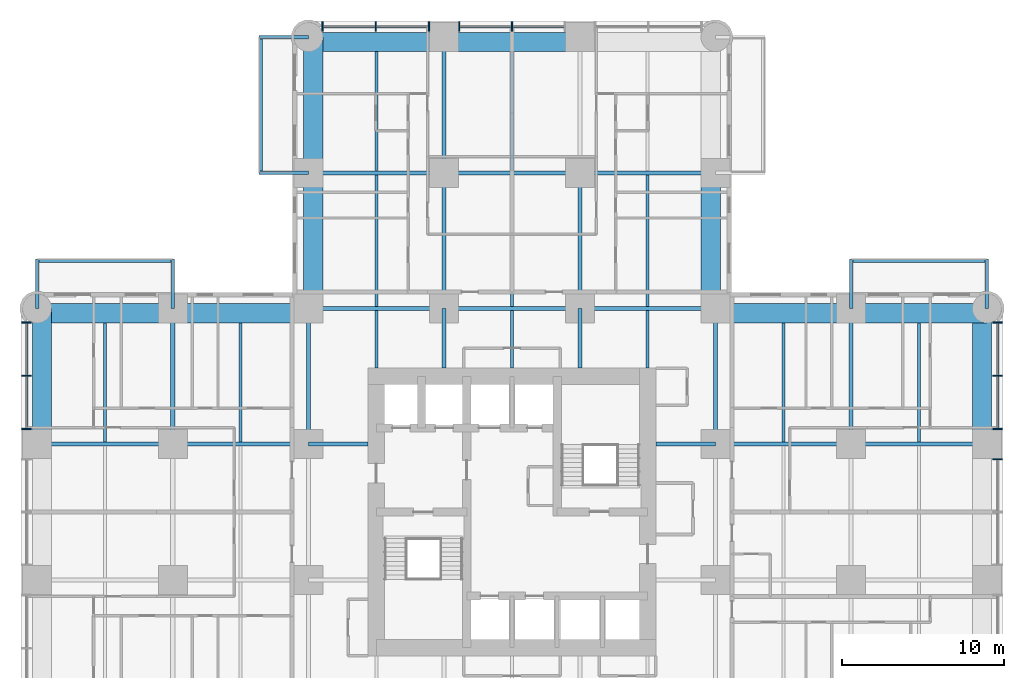
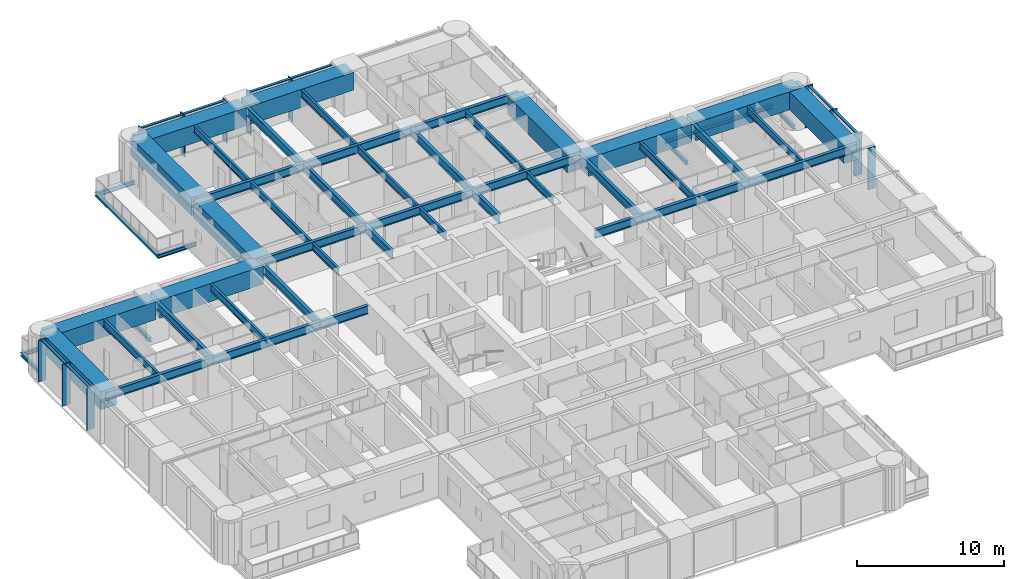
# One storey, part 4 of 17: 53 beams, 20 members, 3 elements without a shape of their own.
"""IFC4 building model written with IfcOpenShell, lengths in metres."""

from ifc_helpers import new_model, si_unit, direction, frame, origin, origin_2d, place, context, subcontext, project, spatial, rectangle, i_section, extrude, material, material_profile, profile_set, type_object, element, aggregate, save


model = new_model("IFC4")

# Units and contexts
model_context = context("Model", 3, precision=1e-05, world=origin(), true_north=direction((0.0, 1.0)))
body_context = subcontext(model_context, "Body", "Model", "MODEL_VIEW")
ifc_project = project(units=[si_unit("LENGTHUNIT", "METRE"), si_unit("AREAUNIT", "SQUARE_METRE"), si_unit("VOLUMEUNIT", "CUBIC_METRE"), si_unit("PLANEANGLEUNIT", "RADIAN"), si_unit("MASSUNIT", "GRAM", prefix="KILO")], contexts=[model_context])

# Site, building, storey
site_placement = place(None, origin())
site = spatial("IfcSite", under=ifc_project, at=site_placement, CompositionType="ELEMENT")
building_placement = place(site_placement, origin())
building = spatial("IfcBuilding", under=site, at=building_placement, Name="Torre Alcanfor", CompositionType="ELEMENT")
storey_placement = place(building_placement, frame((0.0, 0.0, 52.5)))
storey = spatial("IfcBuildingStorey", under=building, at=storey_placement, Name="L12", CompositionType="ELEMENT", Elevation=52.5)

# Beams
ifc_material_1 = material(Name="Steel ASTM A992 Grade 50", Category="steel")
ifc_material_profile_1 = material_profile(ifc_material_1, i_section(OverallWidth=0.205322265625, OverallDepth=0.309814453125, WebThickness=0.00927734375, FlangeThickness=0.016357421875, at=origin_2d()), Name="W12x50")
ifc_profile_set_1 = profile_set([ifc_material_profile_1], Name="Steel ASTM A992 Grade 50")
beam_type_1 = type_object("IfcBeamType", Name="Balcony cantilever beam W12x50", PredefinedType="BEAM", material=ifc_profile_set_1)
for number, where, z_axis, x_axis, name in (
    (1, (16.800048828125, 50.39990234375, -0.35498046875), (-1.0, 0.0, 0.0), (0.0, -1.0, 0.0), "Balcony cantilever beam L12-N1 1"),
    (2, (16.800048828125, 58.800048828125, -0.35498046875), (-1.0, 0.0, 0.0), (0.0, -1.0, 0.0), "Balcony cantilever beam L12-N1 2"),
    (3, (50.39990234375, 42.0, -0.35498046875), (0.0, 1.0, 0.0), (-1.0, 0.0, 0.0), "Balcony cantilever beam L12-E1 1"),
    (4, (58.800048828125, 42.0, -0.35498046875), (0.0, 1.0, 0.0), (-1.0, 0.0, 0.0), "Balcony cantilever beam L12-E1 2"),
    (5, (8.39990234375, 42.0, -0.35498046875), (0.0, 1.0, 0.0), (-1.0, 0.0, 0.0), "Balcony cantilever beam L12-W2 1"),
    (6, (0.0, 42.0, -0.35498046875), (0.0, 1.0, 0.0), (-1.0, 0.0, 0.0), "Balcony cantilever beam L12-W2 2"),
):
    element("IfcBeam", number, at=place(storey_placement, frame(where, z_axis=z_axis, x_axis=x_axis)), inside=storey, type_object=beam_type_1, Name=name, PredefinedType="BEAM", context=body_context, shape_type="SweptSolid", body=[
        extrude(i_section(OverallWidth=0.205322265625, OverallDepth=0.309814453125, WebThickness=0.00927734375, FlangeThickness=0.016357421875, at=origin_2d()), origin(), (0.0, 0.0, 1.0), 3.050048828125),
    ])
ifc_material_2 = material(Name="Steel ASTM A992 Grade 50", Category="steel")
ifc_material_profile_2 = material_profile(ifc_material_2, i_section(OverallWidth=0.203369140625, OverallDepth=0.30224609375, WebThickness=0.007568359375, FlangeThickness=0.01318359375, at=origin_2d()), Name="W12x40")
ifc_profile_set_2 = profile_set([ifc_material_profile_2], Name="Steel ASTM A992 Grade 50")
beam_type_2 = type_object("IfcBeamType", Name="Balcony edge trimmer W12x40", PredefinedType="BEAM", material=ifc_profile_set_2)
for number, where, z_axis, x_axis, name in (
    (7, (13.851806640625, 50.39990234375, -0.35107421875), (0.0, 1.0, 0.0), (-1.0, 0.0, 0.0), "Balcony edge trimmer L12-N1"),
    (8, (50.39990234375, 44.9482421875, -0.35107421875), (1.0, 0.0, 0.0), (0.0, 1.0, 0.0), "Balcony edge trimmer L12-E1"),
):
    element("IfcBeam", number, at=place(storey_placement, frame(where, z_axis=z_axis, x_axis=x_axis)), inside=storey, type_object=beam_type_2, Name=name, PredefinedType="BEAM", context=body_context, shape_type="SweptSolid", body=[
        extrude(i_section(OverallWidth=0.203369140625, OverallDepth=0.30224609375, WebThickness=0.007568359375, FlangeThickness=0.01318359375, at=origin_2d()), origin(), (0.0, 0.0, 1.0), 8.400146484375),
    ])
beam_1_placement = place(storey_placement, frame((8.39990234375, 44.9482421875, -0.35107421875), z_axis=(-1.0, 0.0, 0.0), x_axis=(0.0, -1.0, 0.0)))
element("IfcBeam", 9, at=beam_1_placement, inside=storey, type_object=beam_type_2, Name="Balcony edge trimmer L12-W2", PredefinedType="BEAM", context=body_context, shape_type="SweptSolid", body=[
    extrude(i_section(OverallWidth=0.203369140625, OverallDepth=0.30224609375, WebThickness=0.007568359375, FlangeThickness=0.01318359375, at=origin_2d()), origin(), (0.0, 0.0, 1.0), 8.39990234375),
])

# Curtain wall, members
ifc_material_3 = material(Name="Aluminium and glass", Category="aluminium")
curtain_wall_type = type_object("IfcCurtainWallType", Name="CW-A unitised apartment glazing with vertical FIN", PredefinedType="NOTDEFINED", material=ifc_material_3)
curtain_wall_1_placement = place(storey_placement, origin())
curtain_wall_1 = element("IfcCurtainWall", 10, at=curtain_wall_1_placement, inside=storey, type_object=curtain_wall_type, Name="Curtain wall CW-A L12 2", PredefinedType="NOTDEFINED")
ifc_material_4 = material(Name="Bronze anodised aluminium", Category="aluminium")
ifc_material_profile_3 = material_profile(ifc_material_4, rectangle(XDim=0.60009765625, YDim=0.06494140625, at=origin_2d()), Name="CW-A mullion 65x600")
ifc_profile_set_3 = profile_set([ifc_material_profile_3], Name="Bronze anodised aluminium")
member_type_1 = type_object("IfcMemberType", Name="CW-A mullion with vertical FIN 65x600", PredefinedType="MULLION", material=ifc_profile_set_3)
member_1_placement = place(storey_placement, frame((-0.64990234375, 41.133056640625, 0.0), z_axis=(0.0, 0.0, 1.0), x_axis=(1.0, 0.0, 0.0)))
member_1 = element("IfcMember", 11, at=member_1_placement, type_object=member_type_1, Name="CW-A mullion 1.1", PredefinedType="MULLION", context=body_context, shape_type="SweptSolid", body=[
    extrude(rectangle(XDim=0.60009765625, YDim=0.06494140625, at=origin_2d()), origin(), (0.0, 0.0, 1.0), 3.449951171875),
])
member_2_placement = place(storey_placement, frame((-0.64990234375, 37.835205078125, 0.0), z_axis=(0.0, 0.0, 1.0), x_axis=(1.0, 0.0, 0.0)))
member_2 = element("IfcMember", 12, at=member_2_placement, type_object=member_type_1, Name="CW-A mullion 1.2", PredefinedType="MULLION", context=body_context, shape_type="SweptSolid", body=[
    extrude(rectangle(XDim=0.60009765625, YDim=0.06494140625, at=origin_2d()), origin(), (0.0, 0.0, 1.0), 3.449951171875),
])
member_3_placement = place(storey_placement, frame((-0.64990234375, 34.53759765625, 0.0), z_axis=(0.0, 0.0, 1.0), x_axis=(1.0, 0.0, 0.0)))
member_3 = element("IfcMember", 13, at=member_3_placement, type_object=member_type_1, Name="CW-A mullion 1.3", PredefinedType="MULLION", context=body_context, shape_type="SweptSolid", body=[
    extrude(rectangle(XDim=0.60009765625, YDim=0.06494140625, at=origin_2d()), origin(), (0.0, 0.0, 1.0), 3.449951171875),
])

curtain_wall_2_placement = place(storey_placement, origin())
curtain_wall_2 = element("IfcCurtainWall", 14, at=curtain_wall_2_placement, inside=storey, type_object=curtain_wall_type, Name="Curtain wall CW-A L12 8", PredefinedType="NOTDEFINED")
member_4_placement = place(storey_placement, frame((59.449951171875, 32.66259765625, 0.0), z_axis=(0.0, 0.0, 1.0), x_axis=(-1.0, 0.0, 0.0)))
member_4 = element("IfcMember", 15, at=member_4_placement, type_object=member_type_1, Name="CW-A mullion 2.3", PredefinedType="MULLION", context=body_context, shape_type="SweptSolid", body=[
    extrude(rectangle(XDim=0.60009765625, YDim=0.06494140625, at=origin_2d()), origin(), (0.0, 0.0, 1.0), 3.449951171875),
])
member_5_placement = place(storey_placement, frame((59.449951171875, 34.53759765625, 0.0), z_axis=(0.0, 0.0, 1.0), x_axis=(-1.0, 0.0, 0.0)))
member_5 = element("IfcMember", 16, at=member_5_placement, type_object=member_type_1, Name="CW-A mullion 3.1", PredefinedType="MULLION", context=body_context, shape_type="SweptSolid", body=[
    extrude(rectangle(XDim=0.60009765625, YDim=0.06494140625, at=origin_2d()), origin(), (0.0, 0.0, 1.0), 3.449951171875),
])
member_6_placement = place(storey_placement, frame((59.449951171875, 37.835205078125, 0.0), z_axis=(0.0, 0.0, 1.0), x_axis=(-1.0, 0.0, 0.0)))
member_6 = element("IfcMember", 17, at=member_6_placement, type_object=member_type_1, Name="CW-A mullion 3.2", PredefinedType="MULLION", context=body_context, shape_type="SweptSolid", body=[
    extrude(rectangle(XDim=0.60009765625, YDim=0.06494140625, at=origin_2d()), origin(), (0.0, 0.0, 1.0), 3.449951171875),
])
member_7_placement = place(storey_placement, frame((59.449951171875, 41.133056640625, 0.0), z_axis=(0.0, 0.0, 1.0), x_axis=(-1.0, 0.0, 0.0)))
member_7 = element("IfcMember", 18, at=member_7_placement, type_object=member_type_1, Name="CW-A mullion 3.3", PredefinedType="MULLION", context=body_context, shape_type="SweptSolid", body=[
    extrude(rectangle(XDim=0.60009765625, YDim=0.06494140625, at=origin_2d()), origin(), (0.0, 0.0, 1.0), 3.449951171875),
])

curtain_wall_3_placement = place(storey_placement, origin())
curtain_wall_3 = element("IfcCurtainWall", 19, at=curtain_wall_3_placement, inside=storey, type_object=curtain_wall_type, Name="Curtain wall CW-A L12 11", PredefinedType="NOTDEFINED")
member_8_placement = place(storey_placement, frame((29.39990234375, 59.449951171875, 0.0), z_axis=(0.0, 0.0, 1.0), x_axis=(0.0, -1.0, 0.0)))
member_8 = element("IfcMember", 20, at=member_8_placement, type_object=member_type_1, Name="CW-A mullion 2.2", PredefinedType="MULLION", context=body_context, shape_type="SweptSolid", body=[
    extrude(rectangle(XDim=0.60009765625, YDim=0.06494140625, at=origin_2d()), origin(), (0.0, 0.0, 1.0), 3.449951171875),
])
member_9_placement = place(storey_placement, frame((26.137451171875, 59.449951171875, 0.0), z_axis=(0.0, 0.0, 1.0), x_axis=(0.0, -1.0, 0.0)))
member_9 = element("IfcMember", 21, at=member_9_placement, type_object=member_type_1, Name="CW-A mullion 2.3", PredefinedType="MULLION", context=body_context, shape_type="SweptSolid", body=[
    extrude(rectangle(XDim=0.60009765625, YDim=0.06494140625, at=origin_2d()), origin(), (0.0, 0.0, 1.0), 3.449951171875),
])
member_10_placement = place(storey_placement, frame((24.262451171875, 59.449951171875, 0.0), z_axis=(0.0, 0.0, 1.0), x_axis=(0.0, -1.0, 0.0)))
member_10 = element("IfcMember", 22, at=member_10_placement, type_object=member_type_1, Name="CW-A mullion 3.1", PredefinedType="MULLION", context=body_context, shape_type="SweptSolid", body=[
    extrude(rectangle(XDim=0.60009765625, YDim=0.06494140625, at=origin_2d()), origin(), (0.0, 0.0, 1.0), 3.449951171875),
])
member_11_placement = place(storey_placement, frame((20.96484375, 59.449951171875, 0.0), z_axis=(0.0, 0.0, 1.0), x_axis=(0.0, -1.0, 0.0)))
member_11 = element("IfcMember", 23, at=member_11_placement, type_object=member_type_1, Name="CW-A mullion 3.2", PredefinedType="MULLION", context=body_context, shape_type="SweptSolid", body=[
    extrude(rectangle(XDim=0.60009765625, YDim=0.06494140625, at=origin_2d()), origin(), (0.0, 0.0, 1.0), 3.449951171875),
])
member_12_placement = place(storey_placement, frame((17.6669921875, 59.449951171875, 0.0), z_axis=(0.0, 0.0, 1.0), x_axis=(0.0, -1.0, 0.0)))
member_12 = element("IfcMember", 24, at=member_12_placement, type_object=member_type_1, Name="CW-A mullion 3.3", PredefinedType="MULLION", context=body_context, shape_type="SweptSolid", body=[
    extrude(rectangle(XDim=0.60009765625, YDim=0.06494140625, at=origin_2d()), origin(), (0.0, 0.0, 1.0), 3.449951171875),
])

# Member
ifc_material_5 = material(Name="Extruded aluminium", Category="aluminium")
ifc_material_profile_4 = material_profile(ifc_material_5, rectangle(XDim=0.199951171875, YDim=0.06494140625, at=origin_2d()), Name="CW-A transom 200x65")
ifc_profile_set_4 = profile_set([ifc_material_profile_4], Name="Extruded aluminium")
member_type_2 = type_object("IfcMemberType", Name="CW-A transom 65x200", PredefinedType="USERDEFINED", material=ifc_profile_set_4)
member_13_placement = place(storey_placement, frame((-0.64990234375, 41.1005859375, 3.41748046875), z_axis=(0.0, -1.0, 0.0), x_axis=(1.0, 0.0, 0.0)))
member_13 = element("IfcMember", 25, at=member_13_placement, type_object=member_type_2, Name="CW-A transom 1.1.2", ObjectType="TRANSOM", PredefinedType="USERDEFINED", context=body_context, shape_type="SweptSolid", body=[
    extrude(rectangle(XDim=0.199951171875, YDim=0.06494140625, at=origin_2d()), origin(), (0.0, 0.0, 1.0), 3.23291015625),
])

member_14_placement = place(storey_placement, frame((-0.64990234375, 37.802734375, 3.41748046875), z_axis=(0.0, -1.0, 0.0), x_axis=(1.0, 0.0, 0.0)))
member_14 = element("IfcMember", 26, at=member_14_placement, type_object=member_type_2, Name="CW-A transom 1.2.2", ObjectType="TRANSOM", PredefinedType="USERDEFINED", context=body_context, shape_type="SweptSolid", body=[
    extrude(rectangle(XDim=0.199951171875, YDim=0.06494140625, at=origin_2d()), origin(), (0.0, 0.0, 1.0), 3.232666015625),
])

aggregate(curtain_wall_1, [member_1, member_2, member_3, member_13, member_14])

member_15_placement = place(storey_placement, frame((59.449951171875, 34.570068359375, 3.41748046875), z_axis=(0.0, 1.0, 0.0), x_axis=(-1.0, 0.0, 0.0)))
member_15 = element("IfcMember", 27, at=member_15_placement, type_object=member_type_2, Name="CW-A transom 3.1.2", ObjectType="TRANSOM", PredefinedType="USERDEFINED", context=body_context, shape_type="SweptSolid", body=[
    extrude(rectangle(XDim=0.199951171875, YDim=0.06494140625, at=origin_2d()), origin(), (0.0, 0.0, 1.0), 3.232666015625),
])

member_16_placement = place(storey_placement, frame((59.449951171875, 37.86767578125, 3.41748046875), z_axis=(0.0, 1.0, 0.0), x_axis=(-1.0, 0.0, 0.0)))
member_16 = element("IfcMember", 28, at=member_16_placement, type_object=member_type_2, Name="CW-A transom 3.2.2", ObjectType="TRANSOM", PredefinedType="USERDEFINED", context=body_context, shape_type="SweptSolid", body=[
    extrude(rectangle(XDim=0.199951171875, YDim=0.06494140625, at=origin_2d()), origin(), (0.0, 0.0, 1.0), 3.23291015625),
])

aggregate(curtain_wall_2, [member_4, member_5, member_6, member_7, member_15, member_16])

member_17_placement = place(storey_placement, frame((32.6298828125, 59.449951171875, 3.41748046875), z_axis=(-1.0, 0.0, 0.0), x_axis=(0.0, -1.0, 0.0)))
member_17 = element("IfcMember", 29, at=member_17_placement, type_object=member_type_2, Name="CW-A transom 2.1.2", ObjectType="TRANSOM", PredefinedType="USERDEFINED", context=body_context, shape_type="SweptSolid", body=[
    extrude(rectangle(XDim=0.199951171875, YDim=0.06494140625, at=origin_2d()), origin(), (0.0, 0.0, 1.0), 3.197265625),
])

member_18_placement = place(storey_placement, frame((29.367431640625, 59.449951171875, 3.41748046875), z_axis=(-1.0, 0.0, 0.0), x_axis=(0.0, -1.0, 0.0)))
member_18 = element("IfcMember", 30, at=member_18_placement, type_object=member_type_2, Name="CW-A transom 2.2.2", ObjectType="TRANSOM", PredefinedType="USERDEFINED", context=body_context, shape_type="SweptSolid", body=[
    extrude(rectangle(XDim=0.199951171875, YDim=0.06494140625, at=origin_2d()), origin(), (0.0, 0.0, 1.0), 3.197509765625),
])

member_19_placement = place(storey_placement, frame((24.22998046875, 59.449951171875, 3.41748046875), z_axis=(-1.0, 0.0, 0.0), x_axis=(0.0, -1.0, 0.0)))
member_19 = element("IfcMember", 31, at=member_19_placement, type_object=member_type_2, Name="CW-A transom 3.1.2", ObjectType="TRANSOM", PredefinedType="USERDEFINED", context=body_context, shape_type="SweptSolid", body=[
    extrude(rectangle(XDim=0.199951171875, YDim=0.06494140625, at=origin_2d()), origin(), (0.0, 0.0, 1.0), 3.232666015625),
])

member_20_placement = place(storey_placement, frame((20.93212890625, 59.449951171875, 3.41748046875), z_axis=(-1.0, 0.0, 0.0), x_axis=(0.0, -1.0, 0.0)))
member_20 = element("IfcMember", 32, at=member_20_placement, type_object=member_type_2, Name="CW-A transom 3.2.2", ObjectType="TRANSOM", PredefinedType="USERDEFINED", context=body_context, shape_type="SweptSolid", body=[
    extrude(rectangle(XDim=0.199951171875, YDim=0.06494140625, at=origin_2d()), origin(), (0.0, 0.0, 1.0), 3.232666015625),
])

aggregate(curtain_wall_3, [member_8, member_9, member_17, member_18, member_10, member_11, member_12, member_19, member_20])

# Beams
ifc_material_6 = material(Name="Steel ASTM A992 Grade 50", Category="steel")
ifc_material_profile_5 = material_profile(ifc_material_6, i_section(OverallWidth=0.25390625, OverallDepth=0.683349609375, WebThickness=0.012451171875, FlangeThickness=0.01904296875, at=origin_2d()), Name="W27x94")
ifc_profile_set_5 = profile_set([ifc_material_profile_5], Name="Steel ASTM A992 Grade 50")
beam_type_3 = type_object("IfcBeamType", Name="Girder W27x94", PredefinedType="BEAM", material=ifc_profile_set_5)
beam_2_placement = place(storey_placement, frame((0.0, 33.60009765625, 3.1083984375), z_axis=(1.0, 0.0, 0.0), x_axis=(0.0, 1.0, 0.0)))
element("IfcBeam", 33, at=beam_2_placement, inside=storey, type_object=beam_type_3, Name="Beam 1G-2G under L13", PredefinedType="BEAM", context=body_context, shape_type="SweptSolid", body=[
    extrude(i_section(OverallWidth=0.25390625, OverallDepth=0.683349609375, WebThickness=0.012451171875, FlangeThickness=0.01904296875, at=origin_2d()), origin(), (0.0, 0.0, 1.0), 8.39990234375),
])
beam_3_placement = place(storey_placement, frame((8.39990234375, 33.60009765625, 3.1083984375), z_axis=(1.0, 0.0, 0.0), x_axis=(0.0, 1.0, 0.0)))
element("IfcBeam", 34, at=beam_3_placement, inside=storey, type_object=beam_type_3, Name="Beam 2G-3G under L13", PredefinedType="BEAM", context=body_context, shape_type="SweptSolid", body=[
    extrude(i_section(OverallWidth=0.25390625, OverallDepth=0.683349609375, WebThickness=0.012451171875, FlangeThickness=0.01904296875, at=origin_2d()), origin(), (0.0, 0.0, 1.0), 8.400146484375),
])
beam_4_placement = place(storey_placement, frame((42.0, 33.60009765625, 3.1083984375), z_axis=(1.0, 0.0, 0.0), x_axis=(0.0, 1.0, 0.0)))
element("IfcBeam", 35, at=beam_4_placement, inside=storey, type_object=beam_type_3, Name="Beam 6G-7G under L13", PredefinedType="BEAM", context=body_context, shape_type="SweptSolid", body=[
    extrude(i_section(OverallWidth=0.25390625, OverallDepth=0.683349609375, WebThickness=0.012451171875, FlangeThickness=0.01904296875, at=origin_2d()), origin(), (0.0, 0.0, 1.0), 8.39990234375),
])
beam_5_placement = place(storey_placement, frame((50.39990234375, 33.60009765625, 3.1083984375), z_axis=(1.0, 0.0, 0.0), x_axis=(0.0, 1.0, 0.0)))
element("IfcBeam", 36, at=beam_5_placement, inside=storey, type_object=beam_type_3, Name="Beam 7G-8G under L13", PredefinedType="BEAM", context=body_context, shape_type="SweptSolid", body=[
    extrude(i_section(OverallWidth=0.25390625, OverallDepth=0.683349609375, WebThickness=0.012451171875, FlangeThickness=0.01904296875, at=origin_2d()), origin(), (0.0, 0.0, 1.0), 8.400146484375),
])
beam_6_placement = place(storey_placement, frame((16.800048828125, 42.0, 3.1083984375), z_axis=(1.0, 0.0, 0.0), x_axis=(0.0, 1.0, 0.0)))
element("IfcBeam", 37, at=beam_6_placement, inside=storey, type_object=beam_type_3, Name="Beam 3H-4H under L13", PredefinedType="BEAM", context=body_context, shape_type="SweptSolid", body=[
    extrude(i_section(OverallWidth=0.25390625, OverallDepth=0.683349609375, WebThickness=0.012451171875, FlangeThickness=0.01904296875, at=origin_2d()), origin(), (0.0, 0.0, 1.0), 8.39990234375),
])
beam_7_placement = place(storey_placement, frame((25.199951171875, 42.0, 3.1083984375), z_axis=(1.0, 0.0, 0.0), x_axis=(0.0, 1.0, 0.0)))
element("IfcBeam", 38, at=beam_7_placement, inside=storey, type_object=beam_type_3, Name="Beam 4H-5H under L13", PredefinedType="BEAM", context=body_context, shape_type="SweptSolid", body=[
    extrude(i_section(OverallWidth=0.25390625, OverallDepth=0.683349609375, WebThickness=0.012451171875, FlangeThickness=0.01904296875, at=origin_2d()), origin(), (0.0, 0.0, 1.0), 8.400146484375),
])
for number, where, z_axis, x_axis, name in (
    (39, (33.60009765625, 42.0, 3.1083984375), (1.0, 0.0, 0.0), (0.0, 1.0, 0.0), "Beam 5H-6H under L13"),
    (40, (16.800048828125, 50.39990234375, 3.1083984375), (1.0, 0.0, 0.0), (0.0, 1.0, 0.0), "Beam 3J-4J under L13"),
):
    element("IfcBeam", number, at=place(storey_placement, frame(where, z_axis=z_axis, x_axis=x_axis)), inside=storey, type_object=beam_type_3, Name=name, PredefinedType="BEAM", context=body_context, shape_type="SweptSolid", body=[
        extrude(i_section(OverallWidth=0.25390625, OverallDepth=0.683349609375, WebThickness=0.012451171875, FlangeThickness=0.01904296875, at=origin_2d()), origin(), (0.0, 0.0, 1.0), 8.39990234375),
    ])
beam_8_placement = place(storey_placement, frame((25.199951171875, 50.39990234375, 3.1083984375), z_axis=(1.0, 0.0, 0.0), x_axis=(0.0, 1.0, 0.0)))
element("IfcBeam", 41, at=beam_8_placement, inside=storey, type_object=beam_type_3, Name="Beam 4J-5J under L13", PredefinedType="BEAM", context=body_context, shape_type="SweptSolid", body=[
    extrude(i_section(OverallWidth=0.25390625, OverallDepth=0.683349609375, WebThickness=0.012451171875, FlangeThickness=0.01904296875, at=origin_2d()), origin(), (0.0, 0.0, 1.0), 8.400146484375),
])
for number, where, z_axis, x_axis, name in (
    (42, (33.60009765625, 50.39990234375, 3.1083984375), (1.0, 0.0, 0.0), (0.0, 1.0, 0.0), "Beam 5J-6J under L13"),
    (43, (8.39990234375, 33.60009765625, 3.1083984375), (0.0, 1.0, 0.0), (-1.0, 0.0, 0.0), "Beam 2G-2H under L13"),
    (44, (16.800048828125, 33.60009765625, 3.1083984375), (0.0, 1.0, 0.0), (-1.0, 0.0, 0.0), "Beam 3G-3H under L13"),
    (45, (25.199951171875, 42.0, 3.1083984375), (0.0, 1.0, 0.0), (-1.0, 0.0, 0.0), "Beam 4H-4J under L13"),
):
    element("IfcBeam", number, at=place(storey_placement, frame(where, z_axis=z_axis, x_axis=x_axis)), inside=storey, type_object=beam_type_3, Name=name, PredefinedType="BEAM", context=body_context, shape_type="SweptSolid", body=[
        extrude(i_section(OverallWidth=0.25390625, OverallDepth=0.683349609375, WebThickness=0.012451171875, FlangeThickness=0.01904296875, at=origin_2d()), origin(), (0.0, 0.0, 1.0), 8.39990234375),
    ])
beam_9_placement = place(storey_placement, frame((25.199951171875, 50.39990234375, 3.1083984375), z_axis=(0.0, 1.0, 0.0), x_axis=(-1.0, 0.0, 0.0)))
element("IfcBeam", 46, at=beam_9_placement, inside=storey, type_object=beam_type_3, Name="Beam 4J-4K under L13", PredefinedType="BEAM", context=body_context, shape_type="SweptSolid", body=[
    extrude(i_section(OverallWidth=0.25390625, OverallDepth=0.683349609375, WebThickness=0.012451171875, FlangeThickness=0.01904296875, at=origin_2d()), origin(), (0.0, 0.0, 1.0), 8.400146484375),
])
for number, where, z_axis, x_axis, name in (
    (47, (33.60009765625, 42.0, 3.1083984375), (0.0, 1.0, 0.0), (-1.0, 0.0, 0.0), "Beam 5H-5J under L13"),
    (48, (42.0, 33.60009765625, 3.1083984375), (0.0, 1.0, 0.0), (-1.0, 0.0, 0.0), "Beam 6G-6H under L13"),
    (49, (50.39990234375, 33.60009765625, 3.1083984375), (0.0, 1.0, 0.0), (-1.0, 0.0, 0.0), "Beam 7G-7H under L13"),
):
    element("IfcBeam", number, at=place(storey_placement, frame(where, z_axis=z_axis, x_axis=x_axis)), inside=storey, type_object=beam_type_3, Name=name, PredefinedType="BEAM", context=body_context, shape_type="SweptSolid", body=[
        extrude(i_section(OverallWidth=0.25390625, OverallDepth=0.683349609375, WebThickness=0.012451171875, FlangeThickness=0.01904296875, at=origin_2d()), origin(), (0.0, 0.0, 1.0), 8.39990234375),
    ])
ifc_material_7 = material(Name="Steel ASTM A992 Grade 50", Category="steel")
ifc_material_profile_6 = material_profile(ifc_material_7, i_section(OverallWidth=0.25390625, OverallDepth=0.683349609375, WebThickness=0.012451171875, FlangeThickness=0.01904296875, at=origin_2d()), Name="W27x94")
ifc_profile_set_6 = profile_set([ifc_material_profile_6], Name="Steel ASTM A992 Grade 50")
beam_type_4 = type_object("IfcBeamType", Name="Girder, part bay W27x94", PredefinedType="BEAM", material=ifc_profile_set_6)
for number, where, z_axis, x_axis, name in (
    (50, (25.199951171875, 42.0, 3.1083984375), (0.0, -1.0, 0.0), (1.0, 0.0, 0.0), "Beam 4H-438_3 under L13"),
    (51, (33.60009765625, 42.0, 3.1083984375), (0.0, -1.0, 0.0), (1.0, 0.0, 0.0), "Beam 5H-538_3 under L13"),
    (52, (16.800048828125, 33.60009765625, 3.1083984375), (1.0, 0.0, 0.0), (0.0, 1.0, 0.0), "Beam 3G-20_5G under L13"),
    (53, (42.0, 33.60009765625, 3.1083984375), (-1.0, 0.0, 0.0), (0.0, -1.0, 0.0), "Beam 6G-38_3G under L13"),
):
    element("IfcBeam", number, at=place(storey_placement, frame(where, z_axis=z_axis, x_axis=x_axis)), inside=storey, type_object=beam_type_4, Name=name, PredefinedType="BEAM", context=body_context, shape_type="SweptSolid", body=[
        extrude(i_section(OverallWidth=0.25390625, OverallDepth=0.683349609375, WebThickness=0.012451171875, FlangeThickness=0.01904296875, at=origin_2d()), origin(), (0.0, 0.0, 1.0), 3.699951171875),
    ])
ifc_material_8 = material(Name="Concrete f'c 70 MPa", Category="concrete")
ifc_material_profile_7 = material_profile(ifc_material_8, rectangle(XDim=1.199951171875, YDim=1.5, at=origin_2d()), Name="1200x1500")
ifc_profile_set_7 = profile_set([ifc_material_profile_7], Name="Concrete f'c 70 MPa")
beam_type_5 = type_object("IfcBeamType", Name="RC perimeter beam 1200x1500", PredefinedType="BEAM", material=ifc_profile_set_7)
beam_10_placement = place(storey_placement, frame((0.0, 41.699951171875, 2.699951171875), z_axis=(1.0, 0.0, 0.0), x_axis=(0.0, 1.0, 0.0)))
element("IfcBeam", 54, at=beam_10_placement, inside=storey, type_object=beam_type_5, Name="Beam 1H-2H under L13", PredefinedType="BEAM", context=body_context, shape_type="SweptSolid", body=[
    extrude(rectangle(XDim=1.199951171875, YDim=1.5, at=origin_2d()), origin(), (0.0, 0.0, 1.0), 8.27294921875),
])
for number, where, z_axis, x_axis, name in (
    (55, (8.527099609375, 41.699951171875, 2.699951171875), (1.0, 0.0, 0.0), (0.0, 1.0, 0.0), "Beam 2H-3H under L13"),
    (56, (42.126953125, 41.699951171875, 2.699951171875), (1.0, 0.0, 0.0), (0.0, 1.0, 0.0), "Beam 6H-7H under L13"),
):
    element("IfcBeam", number, at=place(storey_placement, frame(where, z_axis=z_axis, x_axis=x_axis)), inside=storey, type_object=beam_type_5, Name=name, PredefinedType="BEAM", context=body_context, shape_type="SweptSolid", body=[
        extrude(rectangle(XDim=1.199951171875, YDim=1.5, at=origin_2d()), origin(), (0.0, 0.0, 1.0), 8.14599609375),
    ])
for number, where, z_axis, x_axis, name in (
    (57, (50.527099609375, 41.699951171875, 2.699951171875), (1.0, 0.0, 0.0), (0.0, 1.0, 0.0), "Beam 7H-8H under L13"),
    (58, (16.800048828125, 58.5, 2.699951171875), (1.0, 0.0, 0.0), (0.0, 1.0, 0.0), "Beam 3K-4K under L13"),
):
    element("IfcBeam", number, at=place(storey_placement, frame(where, z_axis=z_axis, x_axis=x_axis)), inside=storey, type_object=beam_type_5, Name=name, PredefinedType="BEAM", context=body_context, shape_type="SweptSolid", body=[
        extrude(rectangle(XDim=1.199951171875, YDim=1.5, at=origin_2d()), origin(), (0.0, 0.0, 1.0), 8.27294921875),
    ])
beam_11_placement = place(storey_placement, frame((25.326904296875, 58.5, 2.699951171875), z_axis=(1.0, 0.0, 0.0), x_axis=(0.0, 1.0, 0.0)))
element("IfcBeam", 59, at=beam_11_placement, inside=storey, type_object=beam_type_5, Name="Beam 4K-5K under L13", PredefinedType="BEAM", context=body_context, shape_type="SweptSolid", body=[
    extrude(rectangle(XDim=1.199951171875, YDim=1.5, at=origin_2d()), origin(), (0.0, 0.0, 1.0), 8.14599609375),
])
beam_12_placement = place(storey_placement, frame((0.300048828125, 33.72705078125, 2.699951171875), z_axis=(0.0, 1.0, 0.0), x_axis=(-1.0, 0.0, 0.0)))
element("IfcBeam", 60, at=beam_12_placement, inside=storey, type_object=beam_type_5, Name="Beam 1G-1H under L13", PredefinedType="BEAM", context=body_context, shape_type="SweptSolid", body=[
    extrude(rectangle(XDim=1.199951171875, YDim=1.5, at=origin_2d()), origin(), (0.0, 0.0, 1.0), 8.27294921875),
])
beam_13_placement = place(storey_placement, frame((17.10009765625, 42.126953125, 2.699951171875), z_axis=(0.0, 1.0, 0.0), x_axis=(-1.0, 0.0, 0.0)))
element("IfcBeam", 61, at=beam_13_placement, inside=storey, type_object=beam_type_5, Name="Beam 3H-3J under L13", PredefinedType="BEAM", context=body_context, shape_type="SweptSolid", body=[
    extrude(rectangle(XDim=1.199951171875, YDim=1.5, at=origin_2d()), origin(), (0.0, 0.0, 1.0), 8.14599609375),
])
beam_14_placement = place(storey_placement, frame((17.10009765625, 50.527099609375, 2.699951171875), z_axis=(0.0, 1.0, 0.0), x_axis=(-1.0, 0.0, 0.0)))
element("IfcBeam", 62, at=beam_14_placement, inside=storey, type_object=beam_type_5, Name="Beam 3J-3K under L13", PredefinedType="BEAM", context=body_context, shape_type="SweptSolid", body=[
    extrude(rectangle(XDim=1.199951171875, YDim=1.5, at=origin_2d()), origin(), (0.0, 0.0, 1.0), 8.27294921875),
])
beam_15_placement = place(storey_placement, frame((41.699951171875, 42.126953125, 2.699951171875), z_axis=(0.0, 1.0, 0.0), x_axis=(-1.0, 0.0, 0.0)))
element("IfcBeam", 63, at=beam_15_placement, inside=storey, type_object=beam_type_5, Name="Beam 6H-6J under L13", PredefinedType="BEAM", context=body_context, shape_type="SweptSolid", body=[
    extrude(rectangle(XDim=1.199951171875, YDim=1.5, at=origin_2d()), origin(), (0.0, 0.0, 1.0), 8.14599609375),
])
beam_16_placement = place(storey_placement, frame((58.5, 33.72705078125, 2.699951171875), z_axis=(0.0, 1.0, 0.0), x_axis=(-1.0, 0.0, 0.0)))
element("IfcBeam", 64, at=beam_16_placement, inside=storey, type_object=beam_type_5, Name="Beam 8G-8H under L13", PredefinedType="BEAM", context=body_context, shape_type="SweptSolid", body=[
    extrude(rectangle(XDim=1.199951171875, YDim=1.5, at=origin_2d()), origin(), (0.0, 0.0, 1.0), 8.27294921875),
])
ifc_material_9 = material(Name="Steel ASTM A992 Grade 50", Category="steel")
ifc_material_profile_8 = material_profile(ifc_material_9, i_section(OverallWidth=0.1787109375, OverallDepth=0.60205078125, WebThickness=0.010986328125, FlangeThickness=0.014892578125, at=origin_2d()), Name="W24x62")
ifc_profile_set_8 = profile_set([ifc_material_profile_8], Name="Steel ASTM A992 Grade 50")
beam_type_6 = type_object("IfcBeamType", Name="Secondary beam W24x62", PredefinedType="BEAM", material=ifc_profile_set_8)
for number, where, z_axis, x_axis, name in (
    (65, (4.199951171875, 33.72705078125, 3.14892578125), (0.0, 1.0, 0.0), (-1.0, 0.0, 0.0), "Beam 4_2G-4_2H under L13"),
    (66, (12.60009765625, 33.72705078125, 3.14892578125), (0.0, 1.0, 0.0), (-1.0, 0.0, 0.0), "Beam 12_6G-12_6H under L13"),
):
    element("IfcBeam", number, at=place(storey_placement, frame(where, z_axis=z_axis, x_axis=x_axis)), inside=storey, type_object=beam_type_6, Name=name, PredefinedType="BEAM", context=body_context, shape_type="SweptSolid", body=[
        extrude(i_section(OverallWidth=0.1787109375, OverallDepth=0.60205078125, WebThickness=0.010986328125, FlangeThickness=0.014892578125, at=origin_2d()), origin(), (0.0, 0.0, 1.0), 7.373046875),
    ])
beam_17_placement = place(storey_placement, frame((21.0, 42.126953125, 3.14892578125), z_axis=(0.0, 1.0, 0.0), x_axis=(-1.0, 0.0, 0.0)))
element("IfcBeam", 67, at=beam_17_placement, inside=storey, type_object=beam_type_6, Name="Beam 21H-21J under L13", PredefinedType="BEAM", context=body_context, shape_type="SweptSolid", body=[
    extrude(i_section(OverallWidth=0.1787109375, OverallDepth=0.60205078125, WebThickness=0.010986328125, FlangeThickness=0.014892578125, at=origin_2d()), origin(), (0.0, 0.0, 1.0), 8.14599609375),
])
beam_18_placement = place(storey_placement, frame((21.0, 50.527099609375, 3.14892578125), z_axis=(0.0, 1.0, 0.0), x_axis=(-1.0, 0.0, 0.0)))
element("IfcBeam", 68, at=beam_18_placement, inside=storey, type_object=beam_type_6, Name="Beam 21J-21K under L13", PredefinedType="BEAM", context=body_context, shape_type="SweptSolid", body=[
    extrude(i_section(OverallWidth=0.1787109375, OverallDepth=0.60205078125, WebThickness=0.010986328125, FlangeThickness=0.014892578125, at=origin_2d()), origin(), (0.0, 0.0, 1.0), 7.372802734375),
])
beam_19_placement = place(storey_placement, frame((29.39990234375, 42.126953125, 3.14892578125), z_axis=(0.0, 1.0, 0.0), x_axis=(-1.0, 0.0, 0.0)))
element("IfcBeam", 69, at=beam_19_placement, inside=storey, type_object=beam_type_6, Name="Beam 29_4H-29_4J under L13", PredefinedType="BEAM", context=body_context, shape_type="SweptSolid", body=[
    extrude(i_section(OverallWidth=0.1787109375, OverallDepth=0.60205078125, WebThickness=0.010986328125, FlangeThickness=0.014892578125, at=origin_2d()), origin(), (0.0, 0.0, 1.0), 8.14599609375),
])
beam_20_placement = place(storey_placement, frame((29.39990234375, 50.527099609375, 3.14892578125), z_axis=(0.0, 1.0, 0.0), x_axis=(-1.0, 0.0, 0.0)))
element("IfcBeam", 70, at=beam_20_placement, inside=storey, type_object=beam_type_6, Name="Beam 29_4J-29_4K under L13", PredefinedType="BEAM", context=body_context, shape_type="SweptSolid", body=[
    extrude(i_section(OverallWidth=0.1787109375, OverallDepth=0.60205078125, WebThickness=0.010986328125, FlangeThickness=0.014892578125, at=origin_2d()), origin(), (0.0, 0.0, 1.0), 7.372802734375),
])
beam_21_placement = place(storey_placement, frame((37.800048828125, 42.126953125, 3.14892578125), z_axis=(0.0, 1.0, 0.0), x_axis=(-1.0, 0.0, 0.0)))
element("IfcBeam", 71, at=beam_21_placement, inside=storey, type_object=beam_type_6, Name="Beam 37_8H-37_8J under L13", PredefinedType="BEAM", context=body_context, shape_type="SweptSolid", body=[
    extrude(i_section(OverallWidth=0.1787109375, OverallDepth=0.60205078125, WebThickness=0.010986328125, FlangeThickness=0.014892578125, at=origin_2d()), origin(), (0.0, 0.0, 1.0), 8.14599609375),
])
for number, where, z_axis, x_axis, name in (
    (72, (46.199951171875, 33.72705078125, 3.14892578125), (0.0, 1.0, 0.0), (-1.0, 0.0, 0.0), "Beam 46_2G-46_2H under L13"),
    (73, (54.60009765625, 33.72705078125, 3.14892578125), (0.0, 1.0, 0.0), (-1.0, 0.0, 0.0), "Beam 54_6G-54_6H under L13"),
):
    element("IfcBeam", number, at=place(storey_placement, frame(where, z_axis=z_axis, x_axis=x_axis)), inside=storey, type_object=beam_type_6, Name=name, PredefinedType="BEAM", context=body_context, shape_type="SweptSolid", body=[
        extrude(i_section(OverallWidth=0.1787109375, OverallDepth=0.60205078125, WebThickness=0.010986328125, FlangeThickness=0.014892578125, at=origin_2d()), origin(), (0.0, 0.0, 1.0), 7.373046875),
    ])
ifc_material_10 = material(Name="Steel ASTM A992 Grade 50", Category="steel")
ifc_material_profile_9 = material_profile(ifc_material_10, i_section(OverallWidth=0.1787109375, OverallDepth=0.60205078125, WebThickness=0.010986328125, FlangeThickness=0.014892578125, at=origin_2d()), Name="W24x62")
ifc_profile_set_9 = profile_set([ifc_material_profile_9], Name="Steel ASTM A992 Grade 50")
beam_type_7 = type_object("IfcBeamType", Name="Secondary beam, part bay W24x62", PredefinedType="BEAM", material=ifc_profile_set_9)
for number, where, z_axis, x_axis, name in (
    (74, (21.0, 38.300048828125, 3.14892578125), (0.0, 1.0, 0.0), (-1.0, 0.0, 0.0), "Beam 2138_3-21H under L13"),
    (75, (29.39990234375, 38.300048828125, 3.14892578125), (0.0, 1.0, 0.0), (-1.0, 0.0, 0.0), "Beam 29_438_3-29_4H under L13"),
    (76, (37.800048828125, 38.300048828125, 3.14892578125), (0.0, 1.0, 0.0), (-1.0, 0.0, 0.0), "Beam 37_838_3-37_8H under L13"),
):
    element("IfcBeam", number, at=place(storey_placement, frame(where, z_axis=z_axis, x_axis=x_axis)), inside=storey, type_object=beam_type_7, Name=name, PredefinedType="BEAM", context=body_context, shape_type="SweptSolid", body=[
        extrude(i_section(OverallWidth=0.1787109375, OverallDepth=0.60205078125, WebThickness=0.010986328125, FlangeThickness=0.014892578125, at=origin_2d()), origin(), (0.0, 0.0, 1.0), 3.572998046875),
    ])

save(model, "model.ifc")
